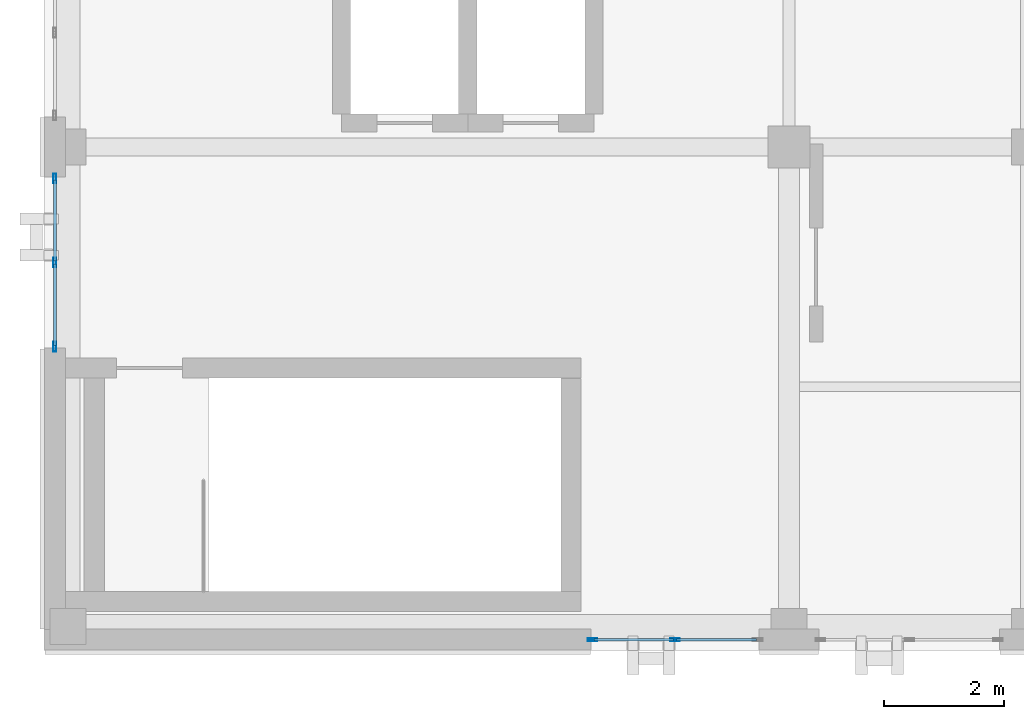
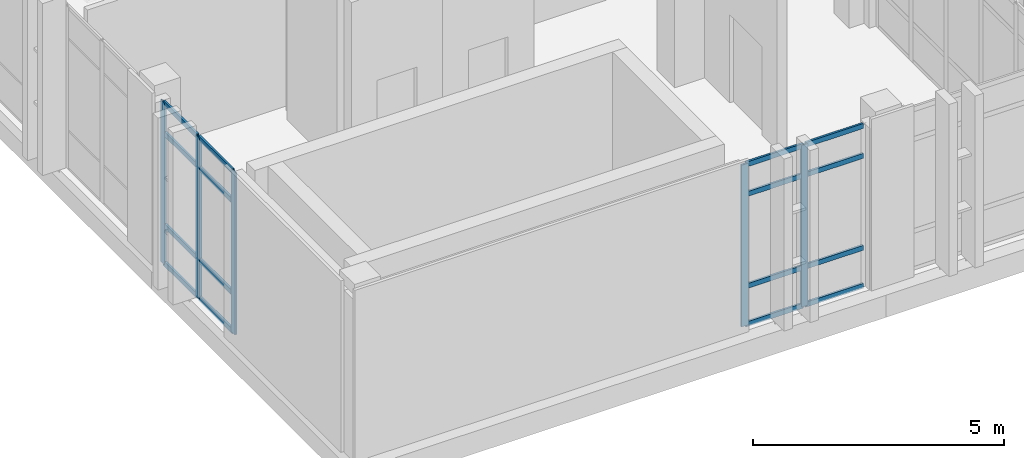
# One storey, part 2 of 48: 21 members, 2 elements without a shape of their own.
"""IFC4 building model written with IfcOpenShell, lengths in metres."""

import ifcopenshell
import ifcopenshell.guid

model = None  # the IFC model being written
_history = None  # IfcOwnerHistory: only IFC2X3 demands one
_inside = {}  # id of a spatial element -> (the spatial element, [elements in it])
_under = {}  # id of a project, library or spatial element -> (it, [spatial elements below it])
_declared = {}  # id of a project -> (the project, [libraries it declares])
_typed = {}  # id of a type object -> (the type object, [elements of that type])
_made_of = {}  # id of a material, layer set ... -> (it, [elements and type objects made of it])


def new_model(schema):
    """Start an empty IFC model of exactly this schema.

    Asked for "IFC4X3", IfcOpenShell would pick the latest addendum, in which some entities
    have other attributes; the version numbers below select the first issue.
    IFC2X3 requires an IfcOwnerHistory on every rooted entity: one is made here for all.
    """
    global model, _history
    if schema == "IFC4X3":
        model = ifcopenshell.file(schema_version=(4, 3, 0, 0))
    else:
        model = ifcopenshell.file(schema=schema)
    _inside.clear()
    _under.clear()
    _declared.clear()
    _typed.clear()
    _made_of.clear()
    _history = None
    if model.schema == "IFC2X3":
        org = make("IfcOrganization", Name="unknown")
        user = make(
            "IfcPersonAndOrganization",
            ThePerson=make("IfcPerson", FamilyName="unknown"),
            TheOrganization=org,
        )
        app = make(
            "IfcApplication",
            ApplicationDeveloper=org,
            Version="unknown",
            ApplicationFullName="unknown",
            ApplicationIdentifier="unknown",
        )
        _history = make(
            "IfcOwnerHistory",
            OwningUser=user,
            OwningApplication=app,
            ChangeAction="ADDED",
            CreationDate=0,
        )
    return model


def make(cls, **values):
    """One entity of the class cls with the attributes given. An attribute that is None is left unset."""
    return model.create_entity(
        cls, **{name: value for name, value in values.items() if value is not None}
    )


def rooted(cls, **values):
    """An entity with a GlobalId (a new one), such as an element, a storey or a relation."""
    return make(cls, GlobalId=ifcopenshell.guid.new(), OwnerHistory=_history, **values)


def si_unit(unit_type, name, prefix=None):
    """IfcSIUnit, for example si_unit("LENGTHUNIT", "METRE", prefix="MILLI")."""
    return make("IfcSIUnit", UnitType=unit_type, Prefix=prefix, Name=name)


def assignment(units):
    """IfcUnitAssignment: the units of a project."""
    return None if units is None else make("IfcUnitAssignment", Units=units)


def point(xyz):
    """IfcCartesianPoint."""
    return None if xyz is None else make("IfcCartesianPoint", Coordinates=xyz)


def direction(xyz):
    """IfcDirection."""
    return None if xyz is None else make("IfcDirection", DirectionRatios=xyz)


def frame(location, z_axis=None, x_axis=None):
    """IfcAxis2Placement3D, a coordinate frame: its origin and axes. An axis left out is left unset."""
    return make(
        "IfcAxis2Placement3D",
        Location=point(location),
        Axis=direction(z_axis),
        RefDirection=direction(x_axis),
    )


def frame_2d(location, x_axis=None):
    """IfcAxis2Placement2D, a coordinate frame in the plane: its origin and x axis."""
    return make(
        "IfcAxis2Placement2D", Location=point(location), RefDirection=direction(x_axis)
    )


def origin():
    """The frame at (0, 0, 0) with its axes left unset."""
    return frame((0.0, 0.0, 0.0))


def origin_2d():
    """The frame at (0, 0) in the plane with its x axis left unset."""
    return frame_2d((0.0, 0.0))


def place(relative_to, where):
    """IfcLocalPlacement: puts the frame where relative to a parent placement (None: the world)."""
    return make(
        "IfcLocalPlacement", PlacementRelTo=relative_to, RelativePlacement=where
    )


def context(
    kind, dimensions, precision=None, world=None, true_north=None, identifier=None
):
    """IfcGeometricRepresentationContext, for example the 3D "Model" context."""
    return make(
        "IfcGeometricRepresentationContext",
        ContextIdentifier=identifier,
        ContextType=kind,
        CoordinateSpaceDimension=dimensions,
        Precision=precision,
        WorldCoordinateSystem=world,
        TrueNorth=true_north,
    )


def subcontext(parent, identifier, kind, view, scale=None):
    """IfcGeometricRepresentationSubContext, for example "Body" below "Model"."""
    return make(
        "IfcGeometricRepresentationSubContext",
        ContextIdentifier=identifier,
        ContextType=kind,
        ParentContext=parent,
        TargetScale=scale,
        TargetView=view,
    )


def project(units=None, contexts=None):
    """IfcProject with its units and contexts."""
    return rooted(
        "IfcProject",
        Name="project",
        RepresentationContexts=contexts,
        UnitsInContext=assignment(units),
    )


def spatial(cls, under=None, at=None, **own):
    """A site, building, storey or space (cls), placed at a placement, below another one or the project."""
    s = rooted(cls, ObjectPlacement=at, **own)
    if under is not None:
        _under.setdefault(under.id(), (under, []))[1].append(s)
    return s


def profile(cls, at=None, kind="AREA", **sizes):
    """A parametric profile (cls). Its sizes go by their IFC names, for example OverallWidth=200.0."""
    return make(cls, ProfileType=kind, Position=at, **sizes)


def hollow_rectangle(**sizes):
    """IfcRectangleHollowProfileDef."""
    return profile("IfcRectangleHollowProfileDef", **sizes)


def extrude(swept, where, along, depth):
    """IfcExtrudedAreaSolid: the profile swept, set in the frame where, extruded along a direction by depth."""
    return make(
        "IfcExtrudedAreaSolid",
        SweptArea=swept,
        Position=where,
        ExtrudedDirection=direction(along),
        Depth=depth,
    )


def shape(context_of_items, identifier, shape_type, items):
    """IfcShapeRepresentation: the items that make up one representation, for example the "Body"."""
    return make(
        "IfcShapeRepresentation",
        ContextOfItems=context_of_items,
        RepresentationIdentifier=identifier,
        RepresentationType=shape_type,
        Items=items,
    )


def material(Name=None, Category=None):
    """IfcMaterial."""
    return make("IfcMaterial", Name=Name, Category=Category)


def layer(
    of_material, thickness, ventilated=None, Name=None, Category=None, Priority=None
):
    """IfcMaterialLayer: one layer of a wall or slab, of a material (None: an air gap)."""
    return make(
        "IfcMaterialLayer",
        Material=of_material,
        LayerThickness=thickness,
        IsVentilated=ventilated,
        Name=Name,
        Category=Category,
        Priority=Priority,
    )


def layer_set(layers, Name=None):
    """IfcMaterialLayerSet."""
    return make("IfcMaterialLayerSet", MaterialLayers=layers, LayerSetName=Name)


def material_profile(
    of_material, cross_section, Name=None, Category=None, Priority=None
):
    """IfcMaterialProfile: a cross section and its material."""
    return make(
        "IfcMaterialProfile",
        Name=Name,
        Material=of_material,
        Profile=cross_section,
        Priority=Priority,
        Category=Category,
    )


def profile_set(profiles, Name=None, composite=None):
    """IfcMaterialProfileSet."""
    return make(
        "IfcMaterialProfileSet",
        Name=Name,
        MaterialProfiles=profiles,
        CompositeProfile=composite,
    )


def made_of(thing, what):
    """Note that an element or type object is made of a material, layer set ...; save() writes the relation."""
    if what is not None:
        _made_of.setdefault(what.id(), (what, []))[1].append(thing)
    return thing


def type_object(cls, material=None, **own):
    """A type object (cls), such as IfcWallType, which elements share."""
    return made_of(rooted(cls, **own), material)


def element(
    cls,
    number,
    at=None,
    inside=None,
    cuts=None,
    type_object=None,
    material=None,
    context=None,
    identifier="Body",
    shape_type=None,
    held_by="IfcProductDefinitionShape",
    body=None,
    shapes=None,
    **own,
):
    """One element of the class cls, such as IfcWall. Its Tag is "e" and its number.

    at: its placement. inside: the storey or other place that contains it. cuts: it is an
    opening in that element (IfcRelVoidsElement). A single representation is given by context,
    identifier, shape_type and body (its items); several are given by shapes. held_by: the class
    of the entity that holds the representations. save() writes the other relations.
    """
    e = rooted(cls, Tag="e%d" % number, ObjectPlacement=at, **own)
    if body is not None:
        shapes = [shape(context, identifier, shape_type, body)]
    if shapes is not None:
        e.Representation = make(held_by, Representations=shapes)
    if inside is not None:
        _inside.setdefault(inside.id(), (inside, []))[1].append(e)
    if cuts is not None:
        rooted(
            "IfcRelVoidsElement", RelatingBuildingElement=cuts, RelatedOpeningElement=e
        )
    if type_object is not None:
        _typed.setdefault(type_object.id(), (type_object, []))[1].append(e)
    return made_of(e, material)


def aggregate(whole, parts):
    """IfcRelAggregates: a whole, such as a stair, and the parts it consists of."""
    return rooted("IfcRelAggregates", RelatingObject=whole, RelatedObjects=parts)


def save(model, path):
    """Write the relations noted so far, then the file.

    IfcRelAggregates (storeys below a building ...), IfcRelContainedInSpatialStructure (elements
    in a storey), IfcRelDefinesByType, IfcRelAssociatesMaterial and IfcRelDeclares: one each for
    every whole, place, type object, material and project.
    """
    for whole, parts in _under.values():
        aggregate(whole, parts)
    for where, things in _inside.values():
        rooted(
            "IfcRelContainedInSpatialStructure",
            RelatedElements=things,
            RelatingStructure=where,
        )
    for kind, things in _typed.values():
        rooted("IfcRelDefinesByType", RelatedObjects=things, RelatingType=kind)
    for what, things in _made_of.values():
        rooted("IfcRelAssociatesMaterial", RelatedObjects=things, RelatingMaterial=what)
    for by, libraries in _declared.values():
        rooted("IfcRelDeclares", RelatingContext=by, RelatedDefinitions=libraries)
    model.write(path)


model = new_model("IFC4")

# Units and contexts
model_context = context("Model", 3, precision=1e-05, world=origin(), true_north=direction((0.0, 1.0)))
body_context = subcontext(model_context, "Body", "Model", "MODEL_VIEW")
ifc_project = project(units=[si_unit("LENGTHUNIT", "METRE"), si_unit("AREAUNIT", "SQUARE_METRE"), si_unit("VOLUMEUNIT", "CUBIC_METRE"), si_unit("PLANEANGLEUNIT", "RADIAN"), si_unit("MASSUNIT", "GRAM", prefix="KILO")], contexts=[model_context])

# Site, building, storey
site_placement = place(None, origin())
site = spatial("IfcSite", under=ifc_project, at=site_placement, CompositionType="ELEMENT")
building_placement = place(site_placement, origin())
building = spatial("IfcBuilding", under=site, at=building_placement, Name="Qalavern Law Courts", CompositionType="ELEMENT")
storey_placement = place(building_placement, frame((0.0, 0.0, 31.199951171875)))
storey = spatial("IfcBuildingStorey", under=building, at=storey_placement, Name="L07", CompositionType="ELEMENT", Elevation=31.199951171875)

# Curtain wall, members
ifc_material_1 = material(Name="Anodised aluminium and insulated glazing", Category="aluminium")
ifc_layer = layer(ifc_material_1, 0.159912109375)
ifc_layer_set = layer_set([ifc_layer], Name="Anodised aluminium and insulated glazing")
curtain_wall_type = type_object("IfcCurtainWallType", Name="ENV-CW-CHAMB", PredefinedType="USERDEFINED", material=ifc_layer_set)
curtain_wall_1_placement = place(storey_placement, origin())
curtain_wall_1 = element("IfcCurtainWall", 1, at=curtain_wall_1_placement, inside=storey, type_object=curtain_wall_type, Name="V3 unitised curtain wall L07 south 1", ObjectType="UNITISED CURTAIN WALL", PredefinedType="USERDEFINED")
ifc_material_2 = material(Name="Anodised aluminium", Category="aluminium")
ifc_material_profile_1 = material_profile(ifc_material_2, hollow_rectangle(XDim=0.048095703125, YDim=0.159912109375, WallThickness=0.00390625, at=origin_2d()), Name="ALU MULLION 48x160")
ifc_profile_set_1 = profile_set([ifc_material_profile_1], Name="Anodised aluminium")
member_type_1 = type_object("IfcMemberType", Name="ENV-CWM-48x160", PredefinedType="MULLION", material=ifc_profile_set_1)
member_1_placement = place(storey_placement, frame((11.1240234375, 41.197509765625, 0.0), z_axis=(0.0, 0.0, 1.0), x_axis=(0.0, 1.0, 0.0)))
member_1 = element("IfcMember", 2, at=member_1_placement, type_object=member_type_1, Name="CW-04 mullion 1", PredefinedType="MULLION", context=body_context, shape_type="SweptSolid", body=[
    extrude(hollow_rectangle(XDim=0.048095703125, YDim=0.159912109375, WallThickness=0.00390625, at=origin_2d()), origin(), (0.0, 0.0, 1.0), 3.93994140625),
])
member_2_placement = place(storey_placement, frame((12.5, 41.197509765625, 0.0), z_axis=(0.0, 0.0, 1.0), x_axis=(0.0, 1.0, 0.0)))
member_2 = element("IfcMember", 3, at=member_2_placement, type_object=member_type_1, Name="CW-04 mullion 2", PredefinedType="MULLION", context=body_context, shape_type="SweptSolid", body=[
    extrude(hollow_rectangle(XDim=0.048095703125, YDim=0.159912109375, WallThickness=0.00390625, at=origin_2d()), origin(), (0.0, 0.0, 1.0), 3.93994140625),
])

curtain_wall_2_placement = place(storey_placement, origin())
curtain_wall_2 = element("IfcCurtainWall", 4, at=curtain_wall_2_placement, inside=storey, type_object=curtain_wall_type, Name="V3 unitised curtain wall L07 west 5", ObjectType="UNITISED CURTAIN WALL", PredefinedType="USERDEFINED")
member_3_placement = place(storey_placement, frame((2.177490234375, 48.8759765625, 0.0), z_axis=(0.0, 0.0, 1.0), x_axis=(1.0, 0.0, 0.0)))
member_3 = element("IfcMember", 5, at=member_3_placement, type_object=member_type_1, Name="CW-04 mullion 1", PredefinedType="MULLION", context=body_context, shape_type="SweptSolid", body=[
    extrude(hollow_rectangle(XDim=0.048095703125, YDim=0.159912109375, WallThickness=0.00390625, at=origin_2d()), origin(), (0.0, 0.0, 1.0), 3.93994140625),
])
member_4_placement = place(storey_placement, frame((2.177490234375, 47.47509765625, 0.0), z_axis=(0.0, 0.0, 1.0), x_axis=(1.0, 0.0, 0.0)))
member_4 = element("IfcMember", 6, at=member_4_placement, type_object=member_type_1, Name="CW-04 mullion 2", PredefinedType="MULLION", context=body_context, shape_type="SweptSolid", body=[
    extrude(hollow_rectangle(XDim=0.048095703125, YDim=0.159912109375, WallThickness=0.00390625, at=origin_2d()), origin(), (0.0, 0.0, 1.0), 3.93994140625),
])
member_5_placement = place(storey_placement, frame((2.177490234375, 46.073974609375, 0.0), z_axis=(0.0, 0.0, 1.0), x_axis=(1.0, 0.0, 0.0)))
member_5 = element("IfcMember", 7, at=member_5_placement, type_object=member_type_1, Name="CW-04 mullion 3", PredefinedType="MULLION", context=body_context, shape_type="SweptSolid", body=[
    extrude(hollow_rectangle(XDim=0.048095703125, YDim=0.159912109375, WallThickness=0.00390625, at=origin_2d()), origin(), (0.0, 0.0, 1.0), 3.93994140625),
])

# Member
ifc_material_profile_2 = material_profile(ifc_material_2, hollow_rectangle(XDim=0.048095703125, YDim=0.1201171875, WallThickness=0.00390625, at=origin_2d()), Name="ALU TRANSOM 48x120")
ifc_profile_set_2 = profile_set([ifc_material_profile_2], Name="Anodised aluminium")
member_type_2 = type_object("IfcMemberType", Name="ENV-CWT-48x120", PredefinedType="USERDEFINED", material=ifc_profile_set_2)
member_6_placement = place(storey_placement, frame((11.14794921875, 41.197509765625, 0.024169921875), z_axis=(1.0, 0.0, 0.0), x_axis=(0.0, 1.0, 0.0)))
member_6 = element("IfcMember", 8, at=member_6_placement, type_object=member_type_2, Name="CW-04 transom 1.1", ObjectType="TRANSOM", PredefinedType="USERDEFINED", context=body_context, shape_type="SweptSolid", body=[
    extrude(hollow_rectangle(XDim=0.048095703125, YDim=0.1201171875, WallThickness=0.00390625, at=origin_2d()), origin(), (0.0, 0.0, 1.0), 1.328125),
])

member_7_placement = place(storey_placement, frame((11.14794921875, 41.197509765625, 0.949951171875), z_axis=(1.0, 0.0, 0.0), x_axis=(0.0, 1.0, 0.0)))
member_7 = element("IfcMember", 9, at=member_7_placement, type_object=member_type_2, Name="CW-04 transom 1.2", ObjectType="TRANSOM", PredefinedType="USERDEFINED", context=body_context, shape_type="SweptSolid", body=[
    extrude(hollow_rectangle(XDim=0.048095703125, YDim=0.1201171875, WallThickness=0.00390625, at=origin_2d()), origin(), (0.0, 0.0, 1.0), 1.328125),
])

member_8_placement = place(storey_placement, frame((11.14794921875, 41.197509765625, 3.18994140625), z_axis=(1.0, 0.0, 0.0), x_axis=(0.0, 1.0, 0.0)))
member_8 = element("IfcMember", 10, at=member_8_placement, type_object=member_type_2, Name="CW-04 transom 1.3", ObjectType="TRANSOM", PredefinedType="USERDEFINED", context=body_context, shape_type="SweptSolid", body=[
    extrude(hollow_rectangle(XDim=0.048095703125, YDim=0.1201171875, WallThickness=0.00390625, at=origin_2d()), origin(), (0.0, 0.0, 1.0), 1.328125),
])

member_9_placement = place(storey_placement, frame((11.14794921875, 41.197509765625, 3.916015625), z_axis=(1.0, 0.0, 0.0), x_axis=(0.0, 1.0, 0.0)))
member_9 = element("IfcMember", 11, at=member_9_placement, type_object=member_type_2, Name="CW-04 transom 1.4", ObjectType="TRANSOM", PredefinedType="USERDEFINED", context=body_context, shape_type="SweptSolid", body=[
    extrude(hollow_rectangle(XDim=0.048095703125, YDim=0.1201171875, WallThickness=0.00390625, at=origin_2d()), origin(), (0.0, 0.0, 1.0), 1.328125),
])

member_10_placement = place(storey_placement, frame((12.52392578125, 41.197509765625, 0.024169921875), z_axis=(1.0, 0.0, 0.0), x_axis=(0.0, 1.0, 0.0)))
member_10 = element("IfcMember", 12, at=member_10_placement, type_object=member_type_2, Name="CW-04 transom 2.1", ObjectType="TRANSOM", PredefinedType="USERDEFINED", context=body_context, shape_type="SweptSolid", body=[
    extrude(hollow_rectangle(XDim=0.048095703125, YDim=0.1201171875, WallThickness=0.00390625, at=origin_2d()), origin(), (0.0, 0.0, 1.0), 1.328125),
])

member_11_placement = place(storey_placement, frame((12.52392578125, 41.197509765625, 0.949951171875), z_axis=(1.0, 0.0, 0.0), x_axis=(0.0, 1.0, 0.0)))
member_11 = element("IfcMember", 13, at=member_11_placement, type_object=member_type_2, Name="CW-04 transom 2.2", ObjectType="TRANSOM", PredefinedType="USERDEFINED", context=body_context, shape_type="SweptSolid", body=[
    extrude(hollow_rectangle(XDim=0.048095703125, YDim=0.1201171875, WallThickness=0.00390625, at=origin_2d()), origin(), (0.0, 0.0, 1.0), 1.328125),
])

member_12_placement = place(storey_placement, frame((12.52392578125, 41.197509765625, 3.18994140625), z_axis=(1.0, 0.0, 0.0), x_axis=(0.0, 1.0, 0.0)))
member_12 = element("IfcMember", 14, at=member_12_placement, type_object=member_type_2, Name="CW-04 transom 2.3", ObjectType="TRANSOM", PredefinedType="USERDEFINED", context=body_context, shape_type="SweptSolid", body=[
    extrude(hollow_rectangle(XDim=0.048095703125, YDim=0.1201171875, WallThickness=0.00390625, at=origin_2d()), origin(), (0.0, 0.0, 1.0), 1.328125),
])

member_13_placement = place(storey_placement, frame((12.52392578125, 41.197509765625, 3.916015625), z_axis=(1.0, 0.0, 0.0), x_axis=(0.0, 1.0, 0.0)))
member_13 = element("IfcMember", 15, at=member_13_placement, type_object=member_type_2, Name="CW-04 transom 2.4", ObjectType="TRANSOM", PredefinedType="USERDEFINED", context=body_context, shape_type="SweptSolid", body=[
    extrude(hollow_rectangle(XDim=0.048095703125, YDim=0.1201171875, WallThickness=0.00390625, at=origin_2d()), origin(), (0.0, 0.0, 1.0), 1.328125),
])

aggregate(curtain_wall_1, [member_1, member_2, member_6, member_7, member_8, member_9, member_10, member_11, member_12, member_13])

member_14_placement = place(storey_placement, frame((2.177490234375, 48.85205078125, 0.024169921875), z_axis=(0.0, -1.0, 0.0), x_axis=(1.0, 0.0, 0.0)))
member_14 = element("IfcMember", 16, at=member_14_placement, type_object=member_type_2, Name="CW-04 transom 1.1", ObjectType="TRANSOM", PredefinedType="USERDEFINED", context=body_context, shape_type="SweptSolid", body=[
    extrude(hollow_rectangle(XDim=0.048095703125, YDim=0.1201171875, WallThickness=0.00390625, at=origin_2d()), origin(), (0.0, 0.0, 1.0), 1.35302734375),
])

member_15_placement = place(storey_placement, frame((2.177490234375, 48.85205078125, 0.949951171875), z_axis=(0.0, -1.0, 0.0), x_axis=(1.0, 0.0, 0.0)))
member_15 = element("IfcMember", 17, at=member_15_placement, type_object=member_type_2, Name="CW-04 transom 1.2", ObjectType="TRANSOM", PredefinedType="USERDEFINED", context=body_context, shape_type="SweptSolid", body=[
    extrude(hollow_rectangle(XDim=0.048095703125, YDim=0.1201171875, WallThickness=0.00390625, at=origin_2d()), origin(), (0.0, 0.0, 1.0), 1.35302734375),
])

member_16_placement = place(storey_placement, frame((2.177490234375, 48.85205078125, 3.18994140625), z_axis=(0.0, -1.0, 0.0), x_axis=(1.0, 0.0, 0.0)))
member_16 = element("IfcMember", 18, at=member_16_placement, type_object=member_type_2, Name="CW-04 transom 1.3", ObjectType="TRANSOM", PredefinedType="USERDEFINED", context=body_context, shape_type="SweptSolid", body=[
    extrude(hollow_rectangle(XDim=0.048095703125, YDim=0.1201171875, WallThickness=0.00390625, at=origin_2d()), origin(), (0.0, 0.0, 1.0), 1.35302734375),
])

member_17_placement = place(storey_placement, frame((2.177490234375, 48.85205078125, 3.916015625), z_axis=(0.0, -1.0, 0.0), x_axis=(1.0, 0.0, 0.0)))
member_17 = element("IfcMember", 19, at=member_17_placement, type_object=member_type_2, Name="CW-04 transom 1.4", ObjectType="TRANSOM", PredefinedType="USERDEFINED", context=body_context, shape_type="SweptSolid", body=[
    extrude(hollow_rectangle(XDim=0.048095703125, YDim=0.1201171875, WallThickness=0.00390625, at=origin_2d()), origin(), (0.0, 0.0, 1.0), 1.35302734375),
])

member_18_placement = place(storey_placement, frame((2.177490234375, 47.450927734375, 0.024169921875), z_axis=(0.0, -1.0, 0.0), x_axis=(1.0, 0.0, 0.0)))
member_18 = element("IfcMember", 20, at=member_18_placement, type_object=member_type_2, Name="CW-04 transom 2.1", ObjectType="TRANSOM", PredefinedType="USERDEFINED", context=body_context, shape_type="SweptSolid", body=[
    extrude(hollow_rectangle(XDim=0.048095703125, YDim=0.1201171875, WallThickness=0.00390625, at=origin_2d()), origin(), (0.0, 0.0, 1.0), 1.35302734375),
])

member_19_placement = place(storey_placement, frame((2.177490234375, 47.450927734375, 0.949951171875), z_axis=(0.0, -1.0, 0.0), x_axis=(1.0, 0.0, 0.0)))
member_19 = element("IfcMember", 21, at=member_19_placement, type_object=member_type_2, Name="CW-04 transom 2.2", ObjectType="TRANSOM", PredefinedType="USERDEFINED", context=body_context, shape_type="SweptSolid", body=[
    extrude(hollow_rectangle(XDim=0.048095703125, YDim=0.1201171875, WallThickness=0.00390625, at=origin_2d()), origin(), (0.0, 0.0, 1.0), 1.35302734375),
])

member_20_placement = place(storey_placement, frame((2.177490234375, 47.450927734375, 3.18994140625), z_axis=(0.0, -1.0, 0.0), x_axis=(1.0, 0.0, 0.0)))
member_20 = element("IfcMember", 22, at=member_20_placement, type_object=member_type_2, Name="CW-04 transom 2.3", ObjectType="TRANSOM", PredefinedType="USERDEFINED", context=body_context, shape_type="SweptSolid", body=[
    extrude(hollow_rectangle(XDim=0.048095703125, YDim=0.1201171875, WallThickness=0.00390625, at=origin_2d()), origin(), (0.0, 0.0, 1.0), 1.35302734375),
])

member_21_placement = place(storey_placement, frame((2.177490234375, 47.450927734375, 3.916015625), z_axis=(0.0, -1.0, 0.0), x_axis=(1.0, 0.0, 0.0)))
member_21 = element("IfcMember", 23, at=member_21_placement, type_object=member_type_2, Name="CW-04 transom 2.4", ObjectType="TRANSOM", PredefinedType="USERDEFINED", context=body_context, shape_type="SweptSolid", body=[
    extrude(hollow_rectangle(XDim=0.048095703125, YDim=0.1201171875, WallThickness=0.00390625, at=origin_2d()), origin(), (0.0, 0.0, 1.0), 1.35302734375),
])

aggregate(curtain_wall_2, [member_3, member_4, member_5, member_14, member_15, member_16, member_17, member_18, member_19, member_20, member_21])

save(model, "model.ifc")
